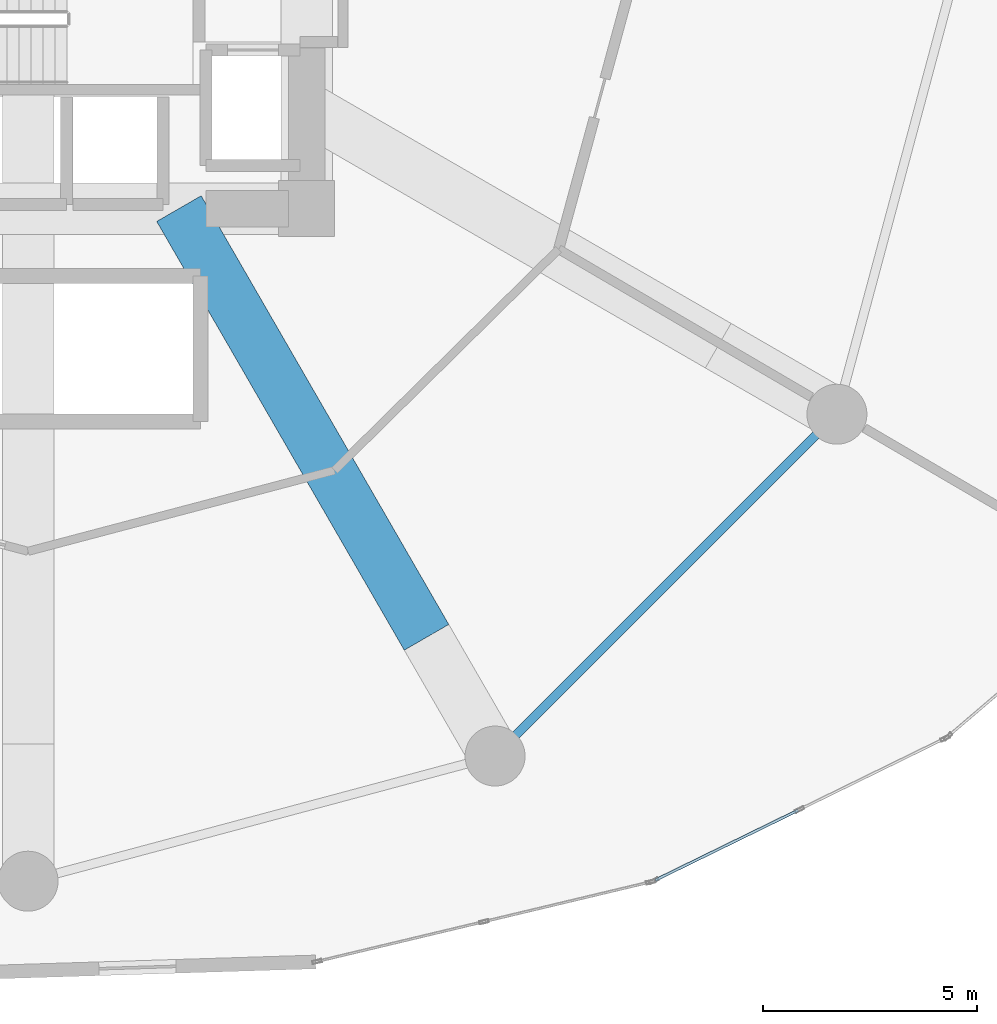
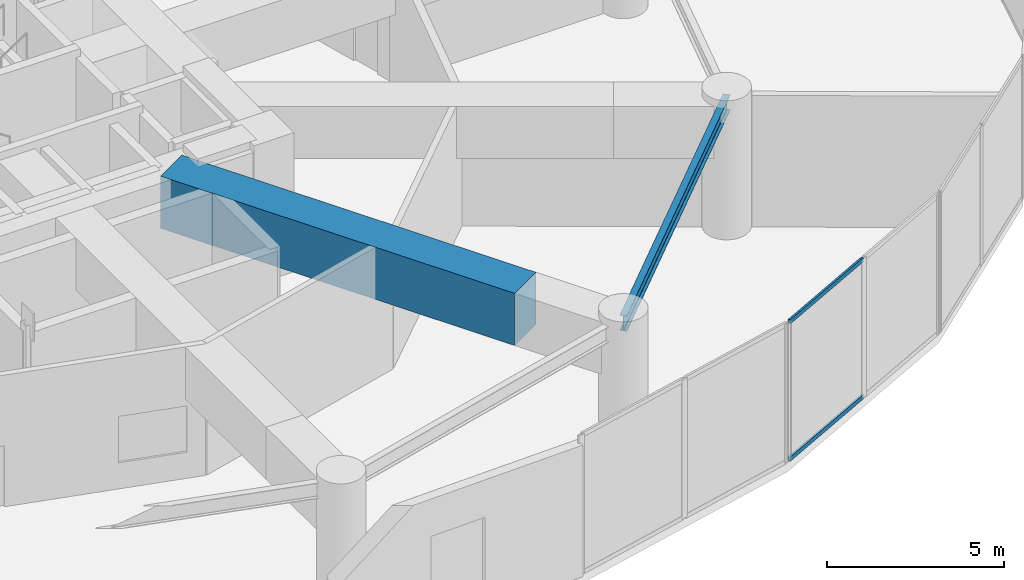
# One storey, part 10 of 27: 2 beams, 2 members, 1 element without a shape of its own.
"""IFC4 building model written with IfcOpenShell, lengths in metres."""

from ifc_helpers import new_model, si_unit, direction, frame, origin, origin_2d, place, context, subcontext, project, spatial, rectangle, hollow_rectangle, i_section, extrude, source, transform, mapped, material, layer, layer_set, material_profile, profile_set, type_object, element, aggregate, save


model = new_model("IFC4")

# Units and contexts
model_context = context("Model", 3, precision=1e-05, world=origin(), true_north=direction((0.0, 1.0)))
body_context = subcontext(model_context, "Body", "Model", "MODEL_VIEW")
ifc_project = project(units=[si_unit("LENGTHUNIT", "METRE"), si_unit("AREAUNIT", "SQUARE_METRE"), si_unit("VOLUMEUNIT", "CUBIC_METRE"), si_unit("PLANEANGLEUNIT", "RADIAN"), si_unit("MASSUNIT", "GRAM", prefix="KILO")], contexts=[model_context])

# Site, building, storey
site_placement = place(None, origin())
site = spatial("IfcSite", under=ifc_project, at=site_placement, CompositionType="ELEMENT")
building_placement = place(site_placement, origin())
building = spatial("IfcBuilding", under=site, at=building_placement, Name="Solvirekh Grand Hotel", CompositionType="ELEMENT")
storey_placement = place(building_placement, frame((0.0, 0.0, 23.60009765625)))
storey = spatial("IfcBuildingStorey", under=building, at=storey_placement, Name="L04", CompositionType="ELEMENT", Elevation=23.60009765625)

# Beams
ifc_material_1 = material(Name="Steel S355", Category="steel")
ifc_material_profile_1 = material_profile(ifc_material_1, i_section(OverallWidth=0.208984375, OverallDepth=0.532958984375, WebThickness=0.010009765625, FlangeThickness=0.014892578125, FilletRadius=0.013916015625, at=origin_2d()), Name="W530X92")
ifc_profile_set_1 = profile_set([ifc_material_profile_1], Name="Steel S355")
beam_type_1 = type_object("IfcBeamType", Name="Spandrel_Ring_W530", PredefinedType="SPANDREL", material=ifc_profile_set_1)
beam_1_placement = place(storey_placement, frame((10.89990234375, -18.87890625, 4.27294921875), z_axis=(0.707106781187, 0.707106781187, 0.0), x_axis=(-0.707106781187, 0.707106781187, 0.0)))
element("IfcBeam", 1, at=beam_1_placement, inside=storey, type_object=beam_type_1, Name="L04 perimeter spandrel beam 11", PredefinedType="SPANDREL", context=body_context, shape_type="SweptSolid", body=[
    extrude(i_section(OverallWidth=0.208984375, OverallDepth=0.532958984375, WebThickness=0.010009765625, FlangeThickness=0.014892578125, FilletRadius=0.013916015625, at=origin_2d()), origin(), (0.0, 0.0, 1.0), 11.283935546875),
])
ifc_material_2 = material(Name="Concrete C60/75", Category="concrete")
ifc_material_profile_2 = material_profile(ifc_material_2, rectangle(XDim=1.199951171875, YDim=1.800048828125, at=origin_2d()), Name="RC GIRDER 1200X1800")
ifc_profile_set_2 = profile_set([ifc_material_profile_2], Name="Concrete C60/75")
beam_type_2 = type_object("IfcBeamType", Name="TransferGirder_RC1800", PredefinedType="USERDEFINED", material=ifc_profile_set_2)
beam_2_placement = place(storey_placement, frame((3.52099609375, -6.10009765625, 3.639892578125), z_axis=(0.500067459825, -0.865986452333, 0.0), x_axis=(0.865986452333, 0.500067459825, 0.0)))
element("IfcBeam", 2, at=beam_2_placement, inside=storey, type_object=beam_type_2, Name="L04 inner radial transfer girder 11A", ObjectType="TRANSFER GIRDER", PredefinedType="USERDEFINED", context=body_context, shape_type="SweptSolid", body=[
    extrude(rectangle(XDim=1.199951171875, YDim=1.800048828125, at=origin_2d()), origin(), (0.0, 0.0, 1.0), 11.556640625),
])

# Curtain wall, members
ifc_material_3 = material(Name="Anodized Bronze Aluminium 6063-T6", Category="aluminium")
ifc_layer = layer(ifc_material_3, 0.219970703125)
ifc_layer_set = layer_set([ifc_layer], Name="Anodized Bronze Aluminium 6063-T6")
curtain_wall_type = type_object("IfcCurtainWallType", Name="CW_Sys1_PodiumBronzeUnitised", PredefinedType="NOTDEFINED", material=ifc_layer_set)
curtain_wall_placement = place(storey_placement, origin())
curtain_wall = element("IfcCurtainWall", 3, at=curtain_wall_placement, inside=storey, type_object=curtain_wall_type, Name="L04 unitised bronze-glass curtain wall CW-L04-C21", PredefinedType="NOTDEFINED")
ifc_material_profile_3 = material_profile(ifc_material_3, hollow_rectangle(XDim=0.06494140625, YDim=0.14990234375, WallThickness=0.0048828125, at=origin_2d()), Name="ALU RHS 150X65X5")
ifc_profile_set_3 = profile_set([ifc_material_profile_3], Name="Anodized Bronze Aluminium 6063-T6")
member_type = type_object("IfcMemberType", Name="CWTransom_Sys1", PredefinedType="USERDEFINED", material=ifc_profile_set_3)
shared_shape = source(origin(), body_context, "Body", "SweptSolid", [
    extrude(hollow_rectangle(XDim=0.06494140625, YDim=0.14990234375, WallThickness=0.0048828125, at=origin_2d()), origin(), (0.0, 0.0, 1.0), 3.710693359375),
])
member_1_placement = place(storey_placement, frame((14.639404296875, -21.776123046875, 0.032470703125), z_axis=(0.898210642446, 0.439565287297, 0.0), x_axis=(-0.439565287297, 0.898210642446, 0.0)))
member_1 = element("IfcMember", 4, at=member_1_placement, type_object=member_type, Name="U01 transom 1.1", ObjectType="TRANSOM", PredefinedType="USERDEFINED", context=body_context, shape_type="MappedRepresentation", body=[
    mapped(shared_shape, transform((0.0, 0.0, 0.0), x_axis=(1.0, 0.0, 0.0), y_axis=(0.0, 1.0, 0.0), z_axis=(0.0, 0.0, 1.0), scale=1.0)),
])
member_2_placement = place(storey_placement, frame((14.639404296875, -21.776123046875, 4.767333984375), z_axis=(0.898210642446, 0.439565287297, 0.0), x_axis=(-0.439565287297, 0.898210642446, 0.0)))
member_2 = element("IfcMember", 5, at=member_2_placement, type_object=member_type, Name="U01 transom 1.2", ObjectType="TRANSOM", PredefinedType="USERDEFINED", context=body_context, shape_type="MappedRepresentation", body=[
    mapped(shared_shape, transform((0.0, 0.0, 0.0), x_axis=(1.0, 0.0, 0.0), y_axis=(0.0, 1.0, 0.0), z_axis=(0.0, 0.0, 1.0), scale=1.0)),
])
aggregate(curtain_wall, [member_1, member_2])

save(model, "model.ifc")
